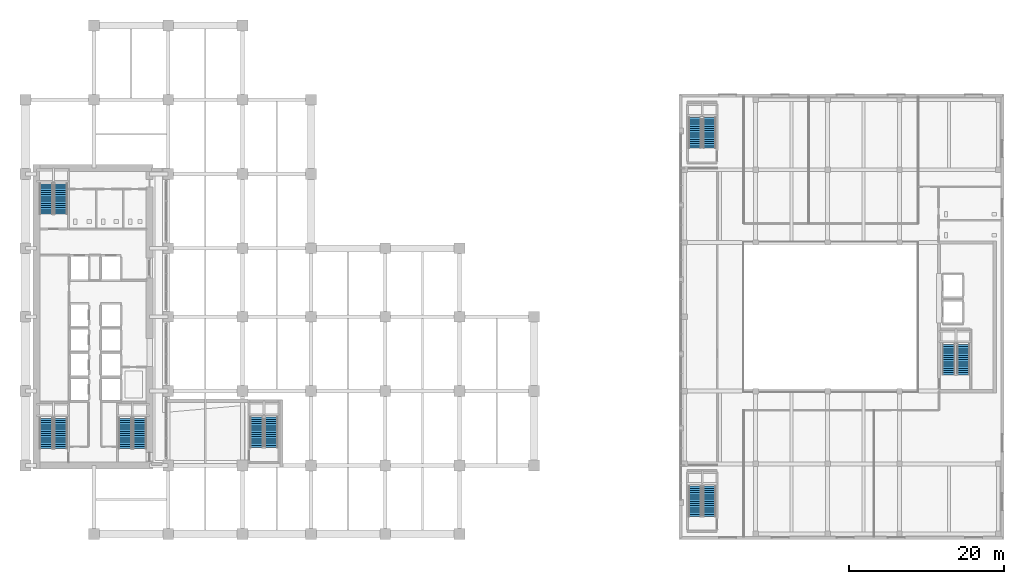
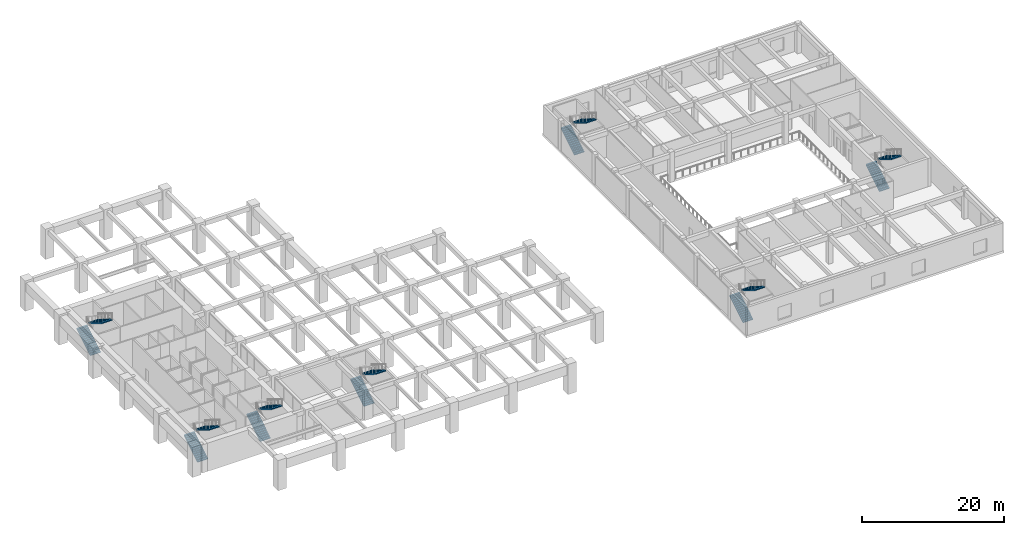
# One storey, part 9 of 22: 14 stair flights, 7 elements without a shape of their own.
"""IFC4 building model written with IfcOpenShell, lengths in metres."""

import ifcopenshell
import ifcopenshell.guid

model = None  # the IFC model being written
_history = None  # IfcOwnerHistory: only IFC2X3 demands one
_inside = {}  # id of a spatial element -> (the spatial element, [elements in it])
_under = {}  # id of a project, library or spatial element -> (it, [spatial elements below it])
_declared = {}  # id of a project -> (the project, [libraries it declares])
_typed = {}  # id of a type object -> (the type object, [elements of that type])
_made_of = {}  # id of a material, layer set ... -> (it, [elements and type objects made of it])


def new_model(schema):
    """Start an empty IFC model of exactly this schema.

    Asked for "IFC4X3", IfcOpenShell would pick the latest addendum, in which some entities
    have other attributes; the version numbers below select the first issue.
    IFC2X3 requires an IfcOwnerHistory on every rooted entity: one is made here for all.
    """
    global model, _history
    if schema == "IFC4X3":
        model = ifcopenshell.file(schema_version=(4, 3, 0, 0))
    else:
        model = ifcopenshell.file(schema=schema)
    _inside.clear()
    _under.clear()
    _declared.clear()
    _typed.clear()
    _made_of.clear()
    _history = None
    if model.schema == "IFC2X3":
        org = make("IfcOrganization", Name="unknown")
        user = make(
            "IfcPersonAndOrganization",
            ThePerson=make("IfcPerson", FamilyName="unknown"),
            TheOrganization=org,
        )
        app = make(
            "IfcApplication",
            ApplicationDeveloper=org,
            Version="unknown",
            ApplicationFullName="unknown",
            ApplicationIdentifier="unknown",
        )
        _history = make(
            "IfcOwnerHistory",
            OwningUser=user,
            OwningApplication=app,
            ChangeAction="ADDED",
            CreationDate=0,
        )
    return model


def make(cls, **values):
    """One entity of the class cls with the attributes given. An attribute that is None is left unset."""
    return model.create_entity(
        cls, **{name: value for name, value in values.items() if value is not None}
    )


def rooted(cls, **values):
    """An entity with a GlobalId (a new one), such as an element, a storey or a relation."""
    return make(cls, GlobalId=ifcopenshell.guid.new(), OwnerHistory=_history, **values)


def si_unit(unit_type, name, prefix=None):
    """IfcSIUnit, for example si_unit("LENGTHUNIT", "METRE", prefix="MILLI")."""
    return make("IfcSIUnit", UnitType=unit_type, Prefix=prefix, Name=name)


def assignment(units):
    """IfcUnitAssignment: the units of a project."""
    return None if units is None else make("IfcUnitAssignment", Units=units)


def point(xyz):
    """IfcCartesianPoint."""
    return None if xyz is None else make("IfcCartesianPoint", Coordinates=xyz)


def direction(xyz):
    """IfcDirection."""
    return None if xyz is None else make("IfcDirection", DirectionRatios=xyz)


def frame(location, z_axis=None, x_axis=None):
    """IfcAxis2Placement3D, a coordinate frame: its origin and axes. An axis left out is left unset."""
    return make(
        "IfcAxis2Placement3D",
        Location=point(location),
        Axis=direction(z_axis),
        RefDirection=direction(x_axis),
    )


def origin():
    """The frame at (0, 0, 0) with its axes left unset."""
    return frame((0.0, 0.0, 0.0))


def place(relative_to, where):
    """IfcLocalPlacement: puts the frame where relative to a parent placement (None: the world)."""
    return make(
        "IfcLocalPlacement", PlacementRelTo=relative_to, RelativePlacement=where
    )


def context(
    kind, dimensions, precision=None, world=None, true_north=None, identifier=None
):
    """IfcGeometricRepresentationContext, for example the 3D "Model" context."""
    return make(
        "IfcGeometricRepresentationContext",
        ContextIdentifier=identifier,
        ContextType=kind,
        CoordinateSpaceDimension=dimensions,
        Precision=precision,
        WorldCoordinateSystem=world,
        TrueNorth=true_north,
    )


def subcontext(parent, identifier, kind, view, scale=None):
    """IfcGeometricRepresentationSubContext, for example "Body" below "Model"."""
    return make(
        "IfcGeometricRepresentationSubContext",
        ContextIdentifier=identifier,
        ContextType=kind,
        ParentContext=parent,
        TargetScale=scale,
        TargetView=view,
    )


def project(units=None, contexts=None):
    """IfcProject with its units and contexts."""
    return rooted(
        "IfcProject",
        Name="project",
        RepresentationContexts=contexts,
        UnitsInContext=assignment(units),
    )


def spatial(cls, under=None, at=None, **own):
    """A site, building, storey or space (cls), placed at a placement, below another one or the project."""
    s = rooted(cls, ObjectPlacement=at, **own)
    if under is not None:
        _under.setdefault(under.id(), (under, []))[1].append(s)
    return s


def polyline(points):
    """IfcPolyline through the points."""
    return make("IfcPolyline", Points=[point(p) for p in points])


def outline(outer, holes=None, kind="AREA"):
    """IfcArbitraryClosedProfileDef: a profile drawn as a closed curve; with holes, ...WithVoids."""
    if holes is None:
        return make("IfcArbitraryClosedProfileDef", ProfileType=kind, OuterCurve=outer)
    return make(
        "IfcArbitraryProfileDefWithVoids",
        ProfileType=kind,
        OuterCurve=outer,
        InnerCurves=holes,
    )


def extrude(swept, where, along, depth):
    """IfcExtrudedAreaSolid: the profile swept, set in the frame where, extruded along a direction by depth."""
    return make(
        "IfcExtrudedAreaSolid",
        SweptArea=swept,
        Position=where,
        ExtrudedDirection=direction(along),
        Depth=depth,
    )


def shape(context_of_items, identifier, shape_type, items):
    """IfcShapeRepresentation: the items that make up one representation, for example the "Body"."""
    return make(
        "IfcShapeRepresentation",
        ContextOfItems=context_of_items,
        RepresentationIdentifier=identifier,
        RepresentationType=shape_type,
        Items=items,
    )


def material(Name=None, Category=None):
    """IfcMaterial."""
    return make("IfcMaterial", Name=Name, Category=Category)


def made_of(thing, what):
    """Note that an element or type object is made of a material, layer set ...; save() writes the relation."""
    if what is not None:
        _made_of.setdefault(what.id(), (what, []))[1].append(thing)
    return thing


def type_object(cls, material=None, **own):
    """A type object (cls), such as IfcWallType, which elements share."""
    return made_of(rooted(cls, **own), material)


def element(
    cls,
    number,
    at=None,
    inside=None,
    cuts=None,
    type_object=None,
    material=None,
    context=None,
    identifier="Body",
    shape_type=None,
    held_by="IfcProductDefinitionShape",
    body=None,
    shapes=None,
    **own,
):
    """One element of the class cls, such as IfcWall. Its Tag is "e" and its number.

    at: its placement. inside: the storey or other place that contains it. cuts: it is an
    opening in that element (IfcRelVoidsElement). A single representation is given by context,
    identifier, shape_type and body (its items); several are given by shapes. held_by: the class
    of the entity that holds the representations. save() writes the other relations.
    """
    e = rooted(cls, Tag="e%d" % number, ObjectPlacement=at, **own)
    if body is not None:
        shapes = [shape(context, identifier, shape_type, body)]
    if shapes is not None:
        e.Representation = make(held_by, Representations=shapes)
    if inside is not None:
        _inside.setdefault(inside.id(), (inside, []))[1].append(e)
    if cuts is not None:
        rooted(
            "IfcRelVoidsElement", RelatingBuildingElement=cuts, RelatedOpeningElement=e
        )
    if type_object is not None:
        _typed.setdefault(type_object.id(), (type_object, []))[1].append(e)
    return made_of(e, material)


def aggregate(whole, parts):
    """IfcRelAggregates: a whole, such as a stair, and the parts it consists of."""
    return rooted("IfcRelAggregates", RelatingObject=whole, RelatedObjects=parts)


def save(model, path):
    """Write the relations noted so far, then the file.

    IfcRelAggregates (storeys below a building ...), IfcRelContainedInSpatialStructure (elements
    in a storey), IfcRelDefinesByType, IfcRelAssociatesMaterial and IfcRelDeclares: one each for
    every whole, place, type object, material and project.
    """
    for whole, parts in _under.values():
        aggregate(whole, parts)
    for where, things in _inside.values():
        rooted(
            "IfcRelContainedInSpatialStructure",
            RelatedElements=things,
            RelatingStructure=where,
        )
    for kind, things in _typed.values():
        rooted("IfcRelDefinesByType", RelatedObjects=things, RelatingType=kind)
    for what, things in _made_of.values():
        rooted("IfcRelAssociatesMaterial", RelatedObjects=things, RelatingMaterial=what)
    for by, libraries in _declared.values():
        rooted("IfcRelDeclares", RelatingContext=by, RelatedDefinitions=libraries)
    model.write(path)


model = new_model("IFC4")

# Units and contexts
model_context = context("Model", 3, precision=1e-05, world=origin(), true_north=direction((0.0, 1.0)))
body_context = subcontext(model_context, "Body", "Model", "MODEL_VIEW")
ifc_project = project(units=[si_unit("LENGTHUNIT", "METRE"), si_unit("AREAUNIT", "SQUARE_METRE"), si_unit("VOLUMEUNIT", "CUBIC_METRE"), si_unit("PLANEANGLEUNIT", "RADIAN"), si_unit("MASSUNIT", "GRAM", prefix="KILO")], contexts=[model_context])

# Site, building, storey
site_placement = place(None, origin())
site = spatial("IfcSite", under=ifc_project, at=site_placement, CompositionType="ELEMENT")
building_placement = place(site_placement, origin())
building = spatial("IfcBuilding", under=site, at=building_placement, Name="Norrvale University Quadrangle", CompositionType="ELEMENT")
storey_placement = place(building_placement, frame((0.0, 0.0, 5.199951171875)))
storey = spatial("IfcBuildingStorey", under=building, at=storey_placement, Name="L01", CompositionType="ELEMENT", Elevation=5.199951171875)

# Stair, stair flights
ifc_material = material(Name="Concrete C40/50", Category="concrete")
stair_type = type_object("IfcStairType", Name="Stair Tower Tall 5200", PredefinedType="TWO_STRAIGHT_RUN_STAIR", material=ifc_material)
stair_1_placement = place(storey_placement, origin())
stair_1 = element("IfcStair", 1, at=stair_1_placement, inside=storey, type_object=stair_type, Name="Exit Stair ST-L1 L01", PredefinedType="TWO_STRAIGHT_RUN_STAIR")
stair_flight_type_1 = type_object("IfcStairFlightType", Name="Flight Lib 1550", PredefinedType="STRAIGHT", material=ifc_material)
stair_flight_1_placement = place(storey_placement, frame((120.050048828125, 21.300048828125, 0.0), z_axis=(0.0, 0.0, 1.0), x_axis=(0.0, 1.0, 0.0)))
stair_flight_1 = element("IfcStairFlight", 2, at=stair_flight_1_placement, type_object=stair_flight_type_1, Name="Exit Stair ST-L1 L01 Lower Flight", NumberOfRisers=15, NumberOfTreads=14, PredefinedType="STRAIGHT", RiserHeight=0.173333, TreadLength=0.28, context=body_context, shape_type="SweptSolid", body=[
    extrude(outline(polyline([(0.0, 0.0), (0.0, 0.17333984375), (0.280029296875, 0.17333984375), (0.280029296875, 0.3466796875), (0.56005859375, 0.3466796875), (0.56005859375, 0.52001953125), (0.840087890625, 0.52001953125), (0.840087890625, 0.693359375), (1.1201171875, 0.693359375), (1.1201171875, 0.86669921875), (1.39990234375, 0.86669921875), (1.39990234375, 1.0400390625), (1.679931640625, 1.0400390625), (1.679931640625, 1.21337890625), (1.9599609375, 1.21337890625), (1.9599609375, 1.38671875), (2.239990234375, 1.38671875), (2.239990234375, 1.56005859375), (2.52001953125, 1.56005859375), (2.52001953125, 1.7333984375), (2.800048828125, 1.7333984375), (2.800048828125, 1.90673828125), (3.080078125, 1.90673828125), (3.080078125, 2.080078125), (3.360107421875, 2.080078125), (3.360107421875, 2.25341796875), (3.639892578125, 2.25341796875), (3.639892578125, 2.4267578125), (3.919921875, 2.4267578125), (3.919921875, 2.60009765625), (3.919921875, 2.238525390625), (0.3037109375, 0.0), (0.0, 0.0)])), frame((0.0, 0.81005859375, 0.0), z_axis=(0.0, -1.0, 0.0), x_axis=(1.0, 0.0, 0.0)), (0.0, 0.0, 1.0), 1.6201171875),
])
stair_flight_2_placement = place(storey_placement, frame((121.949951171875, 25.219970703125, 2.60009765625), z_axis=(0.0, 0.0, 1.0), x_axis=(0.0, -1.0, 0.0)))
stair_flight_2 = element("IfcStairFlight", 3, at=stair_flight_2_placement, type_object=stair_flight_type_1, Name="Exit Stair ST-L1 L01 Upper Flight", NumberOfRisers=15, NumberOfTreads=14, PredefinedType="STRAIGHT", RiserHeight=0.173333, TreadLength=0.28, context=body_context, shape_type="SweptSolid", body=[
    extrude(outline(polyline([(0.0, 0.0), (0.0, 0.17333984375), (0.280029296875, 0.17333984375), (0.280029296875, 0.3466796875), (0.56005859375, 0.3466796875), (0.56005859375, 0.52001953125), (0.840087890625, 0.52001953125), (0.840087890625, 0.693359375), (1.1201171875, 0.693359375), (1.1201171875, 0.86669921875), (1.39990234375, 0.86669921875), (1.39990234375, 1.0400390625), (1.679931640625, 1.0400390625), (1.679931640625, 1.21337890625), (1.9599609375, 1.21337890625), (1.9599609375, 1.38671875), (2.239990234375, 1.38671875), (2.239990234375, 1.56005859375), (2.52001953125, 1.56005859375), (2.52001953125, 1.7333984375), (2.800048828125, 1.7333984375), (2.800048828125, 1.90673828125), (3.080078125, 1.90673828125), (3.080078125, 2.080078125), (3.360107421875, 2.080078125), (3.360107421875, 2.25341796875), (3.639892578125, 2.25341796875), (3.639892578125, 2.4267578125), (3.919921875, 2.4267578125), (3.919921875, 2.60009765625), (3.919921875, 2.238525390625), (0.3037109375, 0.0), (0.0, 0.0)])), frame((0.0, 0.81005859375, 0.0), z_axis=(0.0, -1.0, 0.0), x_axis=(1.0, 0.0, 0.0)), (0.0, 0.0, 1.0), 1.6201171875),
])
aggregate(stair_1, [stair_flight_1, stair_flight_2])

stair_2_placement = place(storey_placement, origin())
stair_2 = element("IfcStair", 4, at=stair_2_placement, inside=storey, type_object=stair_type, Name="Exit Stair ST-L2 L01", PredefinedType="TWO_STRAIGHT_RUN_STAIR")
stair_flight_3_placement = place(storey_placement, frame((87.25, 3.0, 0.0), z_axis=(0.0, 0.0, 1.0), x_axis=(0.0, 1.0, 0.0)))
stair_flight_3 = element("IfcStairFlight", 5, at=stair_flight_3_placement, type_object=stair_flight_type_1, Name="Exit Stair ST-L2 L01 Lower Flight", NumberOfRisers=15, NumberOfTreads=14, PredefinedType="STRAIGHT", RiserHeight=0.173333, TreadLength=0.28, context=body_context, shape_type="SweptSolid", body=[
    extrude(outline(polyline([(0.0, 0.0), (0.0, 0.17333984375), (0.280029296875, 0.17333984375), (0.280029296875, 0.3466796875), (0.56005859375, 0.3466796875), (0.56005859375, 0.52001953125), (0.840087890625, 0.52001953125), (0.840087890625, 0.693359375), (1.1201171875, 0.693359375), (1.1201171875, 0.86669921875), (1.39990234375, 0.86669921875), (1.39990234375, 1.0400390625), (1.679931640625, 1.0400390625), (1.679931640625, 1.21337890625), (1.9599609375, 1.21337890625), (1.9599609375, 1.38671875), (2.239990234375, 1.38671875), (2.239990234375, 1.56005859375), (2.52001953125, 1.56005859375), (2.52001953125, 1.7333984375), (2.800048828125, 1.7333984375), (2.800048828125, 1.90673828125), (3.080078125, 1.90673828125), (3.080078125, 2.080078125), (3.360107421875, 2.080078125), (3.360107421875, 2.25341796875), (3.639892578125, 2.25341796875), (3.639892578125, 2.4267578125), (3.919921875, 2.4267578125), (3.919921875, 2.60009765625), (3.919921875, 2.238525390625), (0.3037109375, 0.0), (0.0, 0.0)])), frame((0.0, 0.81005859375, 0.0), z_axis=(0.0, -1.0, 0.0), x_axis=(1.0, 0.0, 0.0)), (0.0, 0.0, 1.0), 1.6201171875),
])
stair_flight_4_placement = place(storey_placement, frame((89.14990234375, 6.919921875, 2.60009765625), z_axis=(0.0, 0.0, 1.0), x_axis=(0.0, -1.0, 0.0)))
stair_flight_4 = element("IfcStairFlight", 6, at=stair_flight_4_placement, type_object=stair_flight_type_1, Name="Exit Stair ST-L2 L01 Upper Flight", NumberOfRisers=15, NumberOfTreads=14, PredefinedType="STRAIGHT", RiserHeight=0.173333, TreadLength=0.28, context=body_context, shape_type="SweptSolid", body=[
    extrude(outline(polyline([(0.0, 0.0), (0.0, 0.17333984375), (0.280029296875, 0.17333984375), (0.280029296875, 0.3466796875), (0.56005859375, 0.3466796875), (0.56005859375, 0.52001953125), (0.840087890625, 0.52001953125), (0.840087890625, 0.693359375), (1.1201171875, 0.693359375), (1.1201171875, 0.86669921875), (1.39990234375, 0.86669921875), (1.39990234375, 1.0400390625), (1.679931640625, 1.0400390625), (1.679931640625, 1.21337890625), (1.9599609375, 1.21337890625), (1.9599609375, 1.38671875), (2.239990234375, 1.38671875), (2.239990234375, 1.56005859375), (2.52001953125, 1.56005859375), (2.52001953125, 1.7333984375), (2.800048828125, 1.7333984375), (2.800048828125, 1.90673828125), (3.080078125, 1.90673828125), (3.080078125, 2.080078125), (3.360107421875, 2.080078125), (3.360107421875, 2.25341796875), (3.639892578125, 2.25341796875), (3.639892578125, 2.4267578125), (3.919921875, 2.4267578125), (3.919921875, 2.60009765625), (3.919921875, 2.238525390625), (0.3037109375, 0.0), (0.0, 0.0)])), frame((0.0, 0.81005859375, 0.0), z_axis=(0.0, -1.0, 0.0), x_axis=(1.0, 0.0, 0.0)), (0.0, 0.0, 1.0), 1.6201171875),
])
aggregate(stair_2, [stair_flight_3, stair_flight_4])

stair_3_placement = place(storey_placement, origin())
stair_3 = element("IfcStair", 7, at=stair_3_placement, inside=storey, type_object=stair_type, Name="Exit Stair ST-L3 L01", PredefinedType="TWO_STRAIGHT_RUN_STAIR")
stair_flight_5_placement = place(storey_placement, frame((87.25, 50.60009765625, 0.0), z_axis=(0.0, 0.0, 1.0), x_axis=(0.0, 1.0, 0.0)))
stair_flight_5 = element("IfcStairFlight", 8, at=stair_flight_5_placement, type_object=stair_flight_type_1, Name="Exit Stair ST-L3 L01 Lower Flight", NumberOfRisers=15, NumberOfTreads=14, PredefinedType="STRAIGHT", RiserHeight=0.173333, TreadLength=0.28, context=body_context, shape_type="SweptSolid", body=[
    extrude(outline(polyline([(0.0, 0.0), (0.0, 0.17333984375), (0.280029296875, 0.17333984375), (0.280029296875, 0.3466796875), (0.56005859375, 0.3466796875), (0.56005859375, 0.52001953125), (0.840087890625, 0.52001953125), (0.840087890625, 0.693359375), (1.1201171875, 0.693359375), (1.1201171875, 0.86669921875), (1.39990234375, 0.86669921875), (1.39990234375, 1.0400390625), (1.679931640625, 1.0400390625), (1.679931640625, 1.21337890625), (1.9599609375, 1.21337890625), (1.9599609375, 1.38671875), (2.239990234375, 1.38671875), (2.239990234375, 1.56005859375), (2.52001953125, 1.56005859375), (2.52001953125, 1.7333984375), (2.800048828125, 1.7333984375), (2.800048828125, 1.90673828125), (3.080078125, 1.90673828125), (3.080078125, 2.080078125), (3.360107421875, 2.080078125), (3.360107421875, 2.25341796875), (3.639892578125, 2.25341796875), (3.639892578125, 2.4267578125), (3.919921875, 2.4267578125), (3.919921875, 2.60009765625), (3.919921875, 2.238525390625), (0.3037109375, 0.0), (0.0, 0.0)])), frame((0.0, 0.81005859375, 0.0), z_axis=(0.0, -1.0, 0.0), x_axis=(1.0, 0.0, 0.0)), (0.0, 0.0, 1.0), 1.6201171875),
])
stair_flight_6_placement = place(storey_placement, frame((89.14990234375, 54.52001953125, 2.60009765625), z_axis=(0.0, 0.0, 1.0), x_axis=(0.0, -1.0, 0.0)))
stair_flight_6 = element("IfcStairFlight", 9, at=stair_flight_6_placement, type_object=stair_flight_type_1, Name="Exit Stair ST-L3 L01 Upper Flight", NumberOfRisers=15, NumberOfTreads=14, PredefinedType="STRAIGHT", RiserHeight=0.173333, TreadLength=0.28, context=body_context, shape_type="SweptSolid", body=[
    extrude(outline(polyline([(0.0, 0.0), (0.0, 0.17333984375), (0.280029296875, 0.17333984375), (0.280029296875, 0.3466796875), (0.56005859375, 0.3466796875), (0.56005859375, 0.52001953125), (0.840087890625, 0.52001953125), (0.840087890625, 0.693359375), (1.1201171875, 0.693359375), (1.1201171875, 0.86669921875), (1.39990234375, 0.86669921875), (1.39990234375, 1.0400390625), (1.679931640625, 1.0400390625), (1.679931640625, 1.21337890625), (1.9599609375, 1.21337890625), (1.9599609375, 1.38671875), (2.239990234375, 1.38671875), (2.239990234375, 1.56005859375), (2.52001953125, 1.56005859375), (2.52001953125, 1.7333984375), (2.800048828125, 1.7333984375), (2.800048828125, 1.90673828125), (3.080078125, 1.90673828125), (3.080078125, 2.080078125), (3.360107421875, 2.080078125), (3.360107421875, 2.25341796875), (3.639892578125, 2.25341796875), (3.639892578125, 2.4267578125), (3.919921875, 2.4267578125), (3.919921875, 2.60009765625), (3.919921875, 2.238525390625), (0.3037109375, 0.0), (0.0, 0.0)])), frame((0.0, 0.81005859375, 0.0), z_axis=(0.0, -1.0, 0.0), x_axis=(1.0, 0.0, 0.0)), (0.0, 0.0, 1.0), 1.6201171875),
])
aggregate(stair_3, [stair_flight_5, stair_flight_6])

stair_4_placement = place(storey_placement, origin())
stair_4 = element("IfcStair", 10, at=stair_4_placement, inside=storey, type_object=stair_type, Name="Exit Stair ST-01 L01", PredefinedType="TWO_STRAIGHT_RUN_STAIR")
stair_flight_type_2 = type_object("IfcStairFlightType", Name="Flight Typ 1500", PredefinedType="STRAIGHT", material=ifc_material)
stair_flight_7_placement = place(storey_placement, frame((3.429931640625, 11.75, 0.0), z_axis=(0.0, 0.0, 1.0), x_axis=(0.0, 1.0, 0.0)))
stair_flight_7 = element("IfcStairFlight", 11, at=stair_flight_7_placement, type_object=stair_flight_type_2, Name="Exit Stair ST-01 L01 Lower Flight", NumberOfRisers=15, NumberOfTreads=14, PredefinedType="STRAIGHT", RiserHeight=0.173333, TreadLength=0.28, context=body_context, shape_type="SweptSolid", body=[
    extrude(outline(polyline([(0.0, 0.0), (0.0, 0.17333984375), (0.280029296875, 0.17333984375), (0.280029296875, 0.3466796875), (0.56005859375, 0.3466796875), (0.56005859375, 0.52001953125), (0.840087890625, 0.52001953125), (0.840087890625, 0.693359375), (1.1201171875, 0.693359375), (1.1201171875, 0.86669921875), (1.39990234375, 0.86669921875), (1.39990234375, 1.0400390625), (1.679931640625, 1.0400390625), (1.679931640625, 1.21337890625), (1.9599609375, 1.21337890625), (1.9599609375, 1.38671875), (2.239990234375, 1.38671875), (2.239990234375, 1.56005859375), (2.52001953125, 1.56005859375), (2.52001953125, 1.7333984375), (2.800048828125, 1.7333984375), (2.800048828125, 1.90673828125), (3.080078125, 1.90673828125), (3.080078125, 2.080078125), (3.360107421875, 2.080078125), (3.360107421875, 2.25341796875), (3.639892578125, 2.25341796875), (3.639892578125, 2.4267578125), (3.919921875, 2.4267578125), (3.919921875, 2.60009765625), (3.919921875, 2.250244140625), (0.284912109375, 0.0), (0.0, 0.0)])), frame((0.0, 0.83984375, 0.0), z_axis=(0.0, -1.0, 0.0), x_axis=(1.0, 0.0, 0.0)), (0.0, 0.0, 1.0), 1.679931640625),
])
stair_flight_8_placement = place(storey_placement, frame((5.320068359375, 15.669921875, 2.60009765625), z_axis=(0.0, 0.0, 1.0), x_axis=(0.0, -1.0, 0.0)))
stair_flight_8 = element("IfcStairFlight", 12, at=stair_flight_8_placement, type_object=stair_flight_type_2, Name="Exit Stair ST-01 L01 Upper Flight", NumberOfRisers=15, NumberOfTreads=14, PredefinedType="STRAIGHT", RiserHeight=0.173333, TreadLength=0.28, context=body_context, shape_type="SweptSolid", body=[
    extrude(outline(polyline([(0.0, 0.0), (0.0, 0.17333984375), (0.280029296875, 0.17333984375), (0.280029296875, 0.3466796875), (0.56005859375, 0.3466796875), (0.56005859375, 0.52001953125), (0.840087890625, 0.52001953125), (0.840087890625, 0.693359375), (1.1201171875, 0.693359375), (1.1201171875, 0.86669921875), (1.39990234375, 0.86669921875), (1.39990234375, 1.0400390625), (1.679931640625, 1.0400390625), (1.679931640625, 1.21337890625), (1.9599609375, 1.21337890625), (1.9599609375, 1.38671875), (2.239990234375, 1.38671875), (2.239990234375, 1.56005859375), (2.52001953125, 1.56005859375), (2.52001953125, 1.7333984375), (2.800048828125, 1.7333984375), (2.800048828125, 1.90673828125), (3.080078125, 1.90673828125), (3.080078125, 2.080078125), (3.360107421875, 2.080078125), (3.360107421875, 2.25341796875), (3.639892578125, 2.25341796875), (3.639892578125, 2.4267578125), (3.919921875, 2.4267578125), (3.919921875, 2.60009765625), (3.919921875, 2.250244140625), (0.284912109375, 0.0), (0.0, 0.0)])), frame((0.0, 0.83984375, 0.0), z_axis=(0.0, -1.0, 0.0), x_axis=(1.0, 0.0, 0.0)), (0.0, 0.0, 1.0), 1.679931640625),
])
aggregate(stair_4, [stair_flight_7, stair_flight_8])

stair_5_placement = place(storey_placement, origin())
stair_5 = element("IfcStair", 13, at=stair_5_placement, inside=storey, type_object=stair_type, Name="Exit Stair ST-02 L01", PredefinedType="TWO_STRAIGHT_RUN_STAIR")
stair_flight_9_placement = place(storey_placement, frame((3.429931640625, 42.050048828125, 0.0), z_axis=(0.0, 0.0, 1.0), x_axis=(0.0, 1.0, 0.0)))
stair_flight_9 = element("IfcStairFlight", 14, at=stair_flight_9_placement, type_object=stair_flight_type_2, Name="Exit Stair ST-02 L01 Lower Flight", NumberOfRisers=15, NumberOfTreads=14, PredefinedType="STRAIGHT", RiserHeight=0.173333, TreadLength=0.28, context=body_context, shape_type="SweptSolid", body=[
    extrude(outline(polyline([(0.0, 0.0), (0.0, 0.17333984375), (0.280029296875, 0.17333984375), (0.280029296875, 0.3466796875), (0.56005859375, 0.3466796875), (0.56005859375, 0.52001953125), (0.840087890625, 0.52001953125), (0.840087890625, 0.693359375), (1.1201171875, 0.693359375), (1.1201171875, 0.86669921875), (1.39990234375, 0.86669921875), (1.39990234375, 1.0400390625), (1.679931640625, 1.0400390625), (1.679931640625, 1.21337890625), (1.9599609375, 1.21337890625), (1.9599609375, 1.38671875), (2.239990234375, 1.38671875), (2.239990234375, 1.56005859375), (2.52001953125, 1.56005859375), (2.52001953125, 1.7333984375), (2.800048828125, 1.7333984375), (2.800048828125, 1.90673828125), (3.080078125, 1.90673828125), (3.080078125, 2.080078125), (3.360107421875, 2.080078125), (3.360107421875, 2.25341796875), (3.639892578125, 2.25341796875), (3.639892578125, 2.4267578125), (3.919921875, 2.4267578125), (3.919921875, 2.60009765625), (3.919921875, 2.250244140625), (0.284912109375, 0.0), (0.0, 0.0)])), frame((0.0, 0.83984375, 0.0), z_axis=(0.0, -1.0, 0.0), x_axis=(1.0, 0.0, 0.0)), (0.0, 0.0, 1.0), 1.679931640625),
])
stair_flight_10_placement = place(storey_placement, frame((5.320068359375, 45.969970703125, 2.60009765625), z_axis=(0.0, 0.0, 1.0), x_axis=(0.0, -1.0, 0.0)))
stair_flight_10 = element("IfcStairFlight", 15, at=stair_flight_10_placement, type_object=stair_flight_type_2, Name="Exit Stair ST-02 L01 Upper Flight", NumberOfRisers=15, NumberOfTreads=14, PredefinedType="STRAIGHT", RiserHeight=0.173333, TreadLength=0.28, context=body_context, shape_type="SweptSolid", body=[
    extrude(outline(polyline([(0.0, 0.0), (0.0, 0.17333984375), (0.280029296875, 0.17333984375), (0.280029296875, 0.3466796875), (0.56005859375, 0.3466796875), (0.56005859375, 0.52001953125), (0.840087890625, 0.52001953125), (0.840087890625, 0.693359375), (1.1201171875, 0.693359375), (1.1201171875, 0.86669921875), (1.39990234375, 0.86669921875), (1.39990234375, 1.0400390625), (1.679931640625, 1.0400390625), (1.679931640625, 1.21337890625), (1.9599609375, 1.21337890625), (1.9599609375, 1.38671875), (2.239990234375, 1.38671875), (2.239990234375, 1.56005859375), (2.52001953125, 1.56005859375), (2.52001953125, 1.7333984375), (2.800048828125, 1.7333984375), (2.800048828125, 1.90673828125), (3.080078125, 1.90673828125), (3.080078125, 2.080078125), (3.360107421875, 2.080078125), (3.360107421875, 2.25341796875), (3.639892578125, 2.25341796875), (3.639892578125, 2.4267578125), (3.919921875, 2.4267578125), (3.919921875, 2.60009765625), (3.919921875, 2.250244140625), (0.284912109375, 0.0), (0.0, 0.0)])), frame((0.0, 0.83984375, 0.0), z_axis=(0.0, -1.0, 0.0), x_axis=(1.0, 0.0, 0.0)), (0.0, 0.0, 1.0), 1.679931640625),
])
aggregate(stair_5, [stair_flight_9, stair_flight_10])

stair_6_placement = place(storey_placement, origin())
stair_6 = element("IfcStair", 16, at=stair_6_placement, inside=storey, type_object=stair_type, Name="Exit Stair ST-03 L01", PredefinedType="TWO_STRAIGHT_RUN_STAIR")
stair_flight_11_placement = place(storey_placement, frame((13.6298828125, 11.75, 0.0), z_axis=(0.0, 0.0, 1.0), x_axis=(0.0, 1.0, 0.0)))
stair_flight_11 = element("IfcStairFlight", 17, at=stair_flight_11_placement, type_object=stair_flight_type_2, Name="Exit Stair ST-03 L01 Lower Flight", NumberOfRisers=15, NumberOfTreads=14, PredefinedType="STRAIGHT", RiserHeight=0.173333, TreadLength=0.28, context=body_context, shape_type="SweptSolid", body=[
    extrude(outline(polyline([(0.0, 0.0), (0.0, 0.17333984375), (0.280029296875, 0.17333984375), (0.280029296875, 0.3466796875), (0.56005859375, 0.3466796875), (0.56005859375, 0.52001953125), (0.840087890625, 0.52001953125), (0.840087890625, 0.693359375), (1.1201171875, 0.693359375), (1.1201171875, 0.86669921875), (1.39990234375, 0.86669921875), (1.39990234375, 1.0400390625), (1.679931640625, 1.0400390625), (1.679931640625, 1.21337890625), (1.9599609375, 1.21337890625), (1.9599609375, 1.38671875), (2.239990234375, 1.38671875), (2.239990234375, 1.56005859375), (2.52001953125, 1.56005859375), (2.52001953125, 1.7333984375), (2.800048828125, 1.7333984375), (2.800048828125, 1.90673828125), (3.080078125, 1.90673828125), (3.080078125, 2.080078125), (3.360107421875, 2.080078125), (3.360107421875, 2.25341796875), (3.639892578125, 2.25341796875), (3.639892578125, 2.4267578125), (3.919921875, 2.4267578125), (3.919921875, 2.60009765625), (3.919921875, 2.250244140625), (0.284912109375, 0.0), (0.0, 0.0)])), frame((0.0, 0.83984375, 0.0), z_axis=(0.0, -1.0, 0.0), x_axis=(1.0, 0.0, 0.0)), (0.0, 0.0, 1.0), 1.679931640625),
])
stair_flight_12_placement = place(storey_placement, frame((15.52001953125, 15.669921875, 2.60009765625), z_axis=(0.0, 0.0, 1.0), x_axis=(0.0, -1.0, 0.0)))
stair_flight_12 = element("IfcStairFlight", 18, at=stair_flight_12_placement, type_object=stair_flight_type_2, Name="Exit Stair ST-03 L01 Upper Flight", NumberOfRisers=15, NumberOfTreads=14, PredefinedType="STRAIGHT", RiserHeight=0.173333, TreadLength=0.28, context=body_context, shape_type="SweptSolid", body=[
    extrude(outline(polyline([(0.0, 0.0), (0.0, 0.17333984375), (0.280029296875, 0.17333984375), (0.280029296875, 0.3466796875), (0.56005859375, 0.3466796875), (0.56005859375, 0.52001953125), (0.840087890625, 0.52001953125), (0.840087890625, 0.693359375), (1.1201171875, 0.693359375), (1.1201171875, 0.86669921875), (1.39990234375, 0.86669921875), (1.39990234375, 1.0400390625), (1.679931640625, 1.0400390625), (1.679931640625, 1.21337890625), (1.9599609375, 1.21337890625), (1.9599609375, 1.38671875), (2.239990234375, 1.38671875), (2.239990234375, 1.56005859375), (2.52001953125, 1.56005859375), (2.52001953125, 1.7333984375), (2.800048828125, 1.7333984375), (2.800048828125, 1.90673828125), (3.080078125, 1.90673828125), (3.080078125, 2.080078125), (3.360107421875, 2.080078125), (3.360107421875, 2.25341796875), (3.639892578125, 2.25341796875), (3.639892578125, 2.4267578125), (3.919921875, 2.4267578125), (3.919921875, 2.60009765625), (3.919921875, 2.250244140625), (0.284912109375, 0.0), (0.0, 0.0)])), frame((0.0, 0.83984375, 0.0), z_axis=(0.0, -1.0, 0.0), x_axis=(1.0, 0.0, 0.0)), (0.0, 0.0, 1.0), 1.679931640625),
])
aggregate(stair_6, [stair_flight_11, stair_flight_12])

stair_7_placement = place(storey_placement, origin())
stair_7 = element("IfcStair", 19, at=stair_7_placement, inside=storey, type_object=stair_type, Name="Exit Stair ST-04 L01", PredefinedType="TWO_STRAIGHT_RUN_STAIR")
stair_flight_13_placement = place(storey_placement, frame((30.6298828125, 11.89990234375, 0.0), z_axis=(0.0, 0.0, 1.0), x_axis=(0.0, 1.0, 0.0)))
stair_flight_13 = element("IfcStairFlight", 20, at=stair_flight_13_placement, type_object=stair_flight_type_2, Name="Exit Stair ST-04 L01 Lower Flight", NumberOfRisers=15, NumberOfTreads=14, PredefinedType="STRAIGHT", RiserHeight=0.173333, TreadLength=0.28, context=body_context, shape_type="SweptSolid", body=[
    extrude(outline(polyline([(0.0, 0.0), (0.0, 0.17333984375), (0.280029296875, 0.17333984375), (0.280029296875, 0.3466796875), (0.56005859375, 0.3466796875), (0.56005859375, 0.52001953125), (0.840087890625, 0.52001953125), (0.840087890625, 0.693359375), (1.1201171875, 0.693359375), (1.1201171875, 0.86669921875), (1.39990234375, 0.86669921875), (1.39990234375, 1.0400390625), (1.679931640625, 1.0400390625), (1.679931640625, 1.21337890625), (1.9599609375, 1.21337890625), (1.9599609375, 1.38671875), (2.239990234375, 1.38671875), (2.239990234375, 1.56005859375), (2.52001953125, 1.56005859375), (2.52001953125, 1.7333984375), (2.800048828125, 1.7333984375), (2.800048828125, 1.90673828125), (3.080078125, 1.90673828125), (3.080078125, 2.080078125), (3.360107421875, 2.080078125), (3.360107421875, 2.25341796875), (3.639892578125, 2.25341796875), (3.639892578125, 2.4267578125), (3.919921875, 2.4267578125), (3.919921875, 2.60009765625), (3.919921875, 2.250244140625), (0.284912109375, 0.0), (0.0, 0.0)])), frame((0.0, 0.83984375, 0.0), z_axis=(0.0, -1.0, 0.0), x_axis=(1.0, 0.0, 0.0)), (0.0, 0.0, 1.0), 1.679931640625),
])
stair_flight_14_placement = place(storey_placement, frame((32.52001953125, 15.820068359375, 2.60009765625), z_axis=(0.0, 0.0, 1.0), x_axis=(0.0, -1.0, 0.0)))
stair_flight_14 = element("IfcStairFlight", 21, at=stair_flight_14_placement, type_object=stair_flight_type_2, Name="Exit Stair ST-04 L01 Upper Flight", NumberOfRisers=15, NumberOfTreads=14, PredefinedType="STRAIGHT", RiserHeight=0.173333, TreadLength=0.28, context=body_context, shape_type="SweptSolid", body=[
    extrude(outline(polyline([(0.0, 0.0), (0.0, 0.17333984375), (0.280029296875, 0.17333984375), (0.280029296875, 0.3466796875), (0.56005859375, 0.3466796875), (0.56005859375, 0.52001953125), (0.840087890625, 0.52001953125), (0.840087890625, 0.693359375), (1.1201171875, 0.693359375), (1.1201171875, 0.86669921875), (1.39990234375, 0.86669921875), (1.39990234375, 1.0400390625), (1.679931640625, 1.0400390625), (1.679931640625, 1.21337890625), (1.9599609375, 1.21337890625), (1.9599609375, 1.38671875), (2.239990234375, 1.38671875), (2.239990234375, 1.56005859375), (2.52001953125, 1.56005859375), (2.52001953125, 1.7333984375), (2.800048828125, 1.7333984375), (2.800048828125, 1.90673828125), (3.080078125, 1.90673828125), (3.080078125, 2.080078125), (3.360107421875, 2.080078125), (3.360107421875, 2.25341796875), (3.639892578125, 2.25341796875), (3.639892578125, 2.4267578125), (3.919921875, 2.4267578125), (3.919921875, 2.60009765625), (3.919921875, 2.250244140625), (0.284912109375, 0.0), (0.0, 0.0)])), frame((0.0, 0.83984375, 0.0), z_axis=(0.0, -1.0, 0.0), x_axis=(1.0, 0.0, 0.0)), (0.0, 0.0, 1.0), 1.679931640625),
])
aggregate(stair_7, [stair_flight_13, stair_flight_14])

save(model, "model.ifc")
